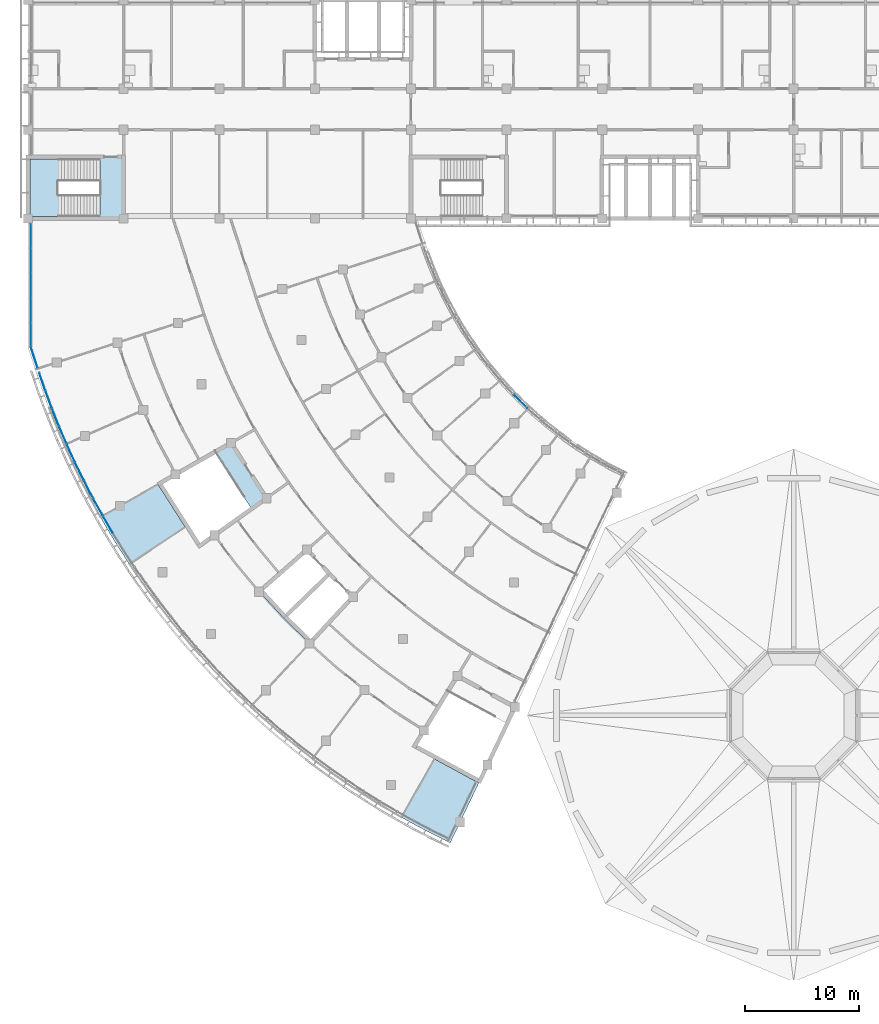
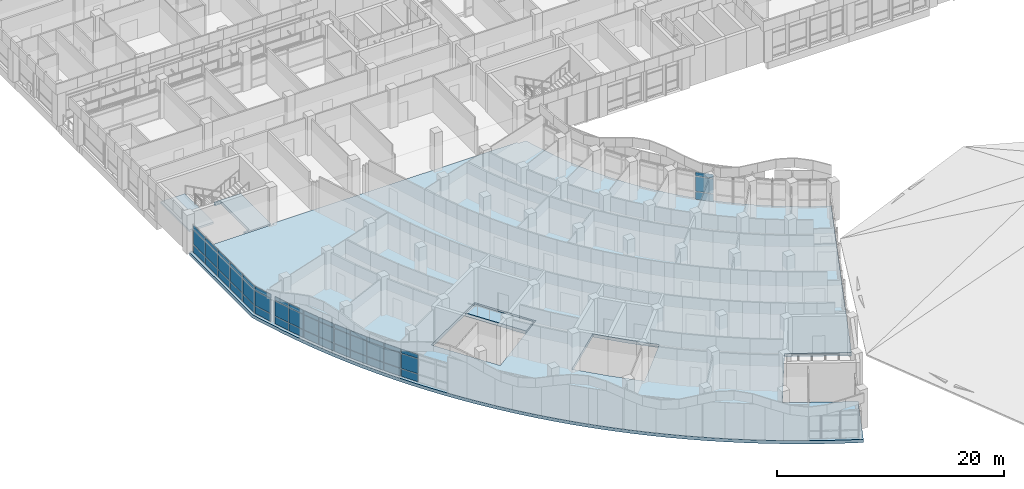
# One storey, part 53 of 137: 48 plates, 4 slabs, 7 elements without a shape of their own.
"""IFC4 building model written with IfcOpenShell, lengths in metres."""

from ifc_helpers import new_model, si_unit, direction, frame, origin, origin_2d, place, context, subcontext, project, spatial, polyline, rectangle, outline, extrude, material, layer, layer_set, type_object, element, aggregate, save


model = new_model("IFC4")

# Units and contexts
model_context = context("Model", 3, precision=1e-05, world=origin(), true_north=direction((0.0, 1.0)))
body_context = subcontext(model_context, "Body", "Model", "MODEL_VIEW")
ifc_project = project(units=[si_unit("LENGTHUNIT", "METRE"), si_unit("AREAUNIT", "SQUARE_METRE"), si_unit("VOLUMEUNIT", "CUBIC_METRE"), si_unit("PLANEANGLEUNIT", "RADIAN"), si_unit("MASSUNIT", "GRAM", prefix="KILO")], contexts=[model_context])

# Site, building, storey
site_placement = place(None, origin())
site = spatial("IfcSite", under=ifc_project, at=site_placement, CompositionType="ELEMENT")
building_placement = place(site_placement, origin())
building = spatial("IfcBuilding", under=site, at=building_placement, Name="Bougainvillea Quay General Hospital", CompositionType="ELEMENT")
storey_placement = place(building_placement, frame((0.0, 0.0, 16.800048828125)))
storey = spatial("IfcBuildingStorey", under=building, at=storey_placement, Name="L03", CompositionType="ELEMENT", Elevation=16.800048828125)

# Curtain wall, plates
ifc_material_1 = material(Name="Aluminium curtain wall system, powder-coated glazed", Category="aluminium")
curtain_wall_type_1 = type_object("IfcCurtainWallType", Name="Unitised curtain wall CW-2177", PredefinedType="NOTDEFINED", material=ifc_material_1)
curtain_wall_1_placement = place(storey_placement, origin())
curtain_wall_1 = element("IfcCurtainWall", 1, at=curtain_wall_1_placement, inside=storey, type_object=curtain_wall_type_1, Name="CW-AE 00", PredefinedType="NOTDEFINED")
ifc_material_2 = material(Name="Insulated aluminium spandrel panel, white", Category="aluminium")
ifc_layer_1 = layer(ifc_material_2, 0.028076171875)
ifc_layer_set_1 = layer_set([ifc_layer_1], Name="Insulated aluminium spandrel panel, white")
plate_type_1 = type_object("IfcPlateType", Name="Insulated spandrel panel white 28", PredefinedType="CURTAIN_PANEL", material=ifc_layer_set_1)
plate_1_placement = place(storey_placement, frame((42.25, 116.07666015625, 0.059814453125), z_axis=(0.0, 0.0, 1.0), x_axis=(0.0, -1.0, 0.0)))
plate_1 = element("IfcPlate", 2, at=plate_1_placement, type_object=plate_type_1, Name="CW-AE spandrel panel 1.1", PredefinedType="CURTAIN_PANEL", context=body_context, shape_type="SweptSolid", body=[
    extrude(rectangle(XDim=2.0869140625, YDim=0.028076171875, at=origin_2d()), origin(), (0.0, 0.0, 1.0), 0.81005859375),
])
plate_2_placement = place(storey_placement, frame((42.25, 116.07666015625, 2.580078125), z_axis=(0.0, 0.0, 1.0), x_axis=(0.0, -1.0, 0.0)))
plate_2 = element("IfcPlate", 3, at=plate_2_placement, type_object=plate_type_1, Name="CW-AE spandrel panel 1.3", PredefinedType="CURTAIN_PANEL", context=body_context, shape_type="SweptSolid", body=[
    extrude(rectangle(XDim=2.0869140625, YDim=0.028076171875, at=origin_2d()), origin(), (0.0, 0.0, 1.0), 0.409912109375),
])
plate_3_placement = place(storey_placement, frame((42.25, 113.914794921875, 0.059814453125), z_axis=(0.0, 0.0, 1.0), x_axis=(0.0, -1.0, 0.0)))
plate_3 = element("IfcPlate", 4, at=plate_3_placement, type_object=plate_type_1, Name="CW-AE spandrel panel 2.1", PredefinedType="CURTAIN_PANEL", context=body_context, shape_type="SweptSolid", body=[
    extrude(rectangle(XDim=2.11669921875, YDim=0.028076171875, at=origin_2d()), origin(), (0.0, 0.0, 1.0), 0.81005859375),
])
plate_4_placement = place(storey_placement, frame((42.25, 113.914794921875, 2.580078125), z_axis=(0.0, 0.0, 1.0), x_axis=(0.0, -1.0, 0.0)))
plate_4 = element("IfcPlate", 5, at=plate_4_placement, type_object=plate_type_1, Name="CW-AE spandrel panel 2.3", PredefinedType="CURTAIN_PANEL", context=body_context, shape_type="SweptSolid", body=[
    extrude(rectangle(XDim=2.11669921875, YDim=0.028076171875, at=origin_2d()), origin(), (0.0, 0.0, 1.0), 0.409912109375),
])
plate_5_placement = place(storey_placement, frame((42.25, 111.738037109375, 0.059814453125), z_axis=(0.0, 0.0, 1.0), x_axis=(0.0, -1.0, 0.0)))
plate_5 = element("IfcPlate", 6, at=plate_5_placement, type_object=plate_type_1, Name="CW-AE spandrel panel 3.1", PredefinedType="CURTAIN_PANEL", context=body_context, shape_type="SweptSolid", body=[
    extrude(rectangle(XDim=2.11669921875, YDim=0.028076171875, at=origin_2d()), origin(), (0.0, 0.0, 1.0), 0.81005859375),
])
plate_6_placement = place(storey_placement, frame((42.25, 111.738037109375, 2.580078125), z_axis=(0.0, 0.0, 1.0), x_axis=(0.0, -1.0, 0.0)))
plate_6 = element("IfcPlate", 7, at=plate_6_placement, type_object=plate_type_1, Name="CW-AE spandrel panel 3.3", PredefinedType="CURTAIN_PANEL", context=body_context, shape_type="SweptSolid", body=[
    extrude(rectangle(XDim=2.11669921875, YDim=0.028076171875, at=origin_2d()), origin(), (0.0, 0.0, 1.0), 0.409912109375),
])
plate_7_placement = place(storey_placement, frame((42.25, 109.561279296875, 0.059814453125), z_axis=(0.0, 0.0, 1.0), x_axis=(0.0, -1.0, 0.0)))
plate_7 = element("IfcPlate", 8, at=plate_7_placement, type_object=plate_type_1, Name="CW-AE spandrel panel 4.1", PredefinedType="CURTAIN_PANEL", context=body_context, shape_type="SweptSolid", body=[
    extrude(rectangle(XDim=2.11669921875, YDim=0.028076171875, at=origin_2d()), origin(), (0.0, 0.0, 1.0), 0.81005859375),
])
plate_8_placement = place(storey_placement, frame((42.25, 109.561279296875, 2.580078125), z_axis=(0.0, 0.0, 1.0), x_axis=(0.0, -1.0, 0.0)))
plate_8 = element("IfcPlate", 9, at=plate_8_placement, type_object=plate_type_1, Name="CW-AE spandrel panel 4.3", PredefinedType="CURTAIN_PANEL", context=body_context, shape_type="SweptSolid", body=[
    extrude(rectangle(XDim=2.11669921875, YDim=0.028076171875, at=origin_2d()), origin(), (0.0, 0.0, 1.0), 0.409912109375),
])
plate_9_placement = place(storey_placement, frame((42.25, 107.3994140625, 0.059814453125), z_axis=(0.0, 0.0, 1.0), x_axis=(0.0, -1.0, 0.0)))
plate_9 = element("IfcPlate", 10, at=plate_9_placement, type_object=plate_type_1, Name="CW-AE spandrel panel 5.1", PredefinedType="CURTAIN_PANEL", context=body_context, shape_type="SweptSolid", body=[
    extrude(rectangle(XDim=2.0869140625, YDim=0.028076171875, at=origin_2d()), origin(), (0.0, 0.0, 1.0), 0.81005859375),
])
plate_10_placement = place(storey_placement, frame((42.25, 107.3994140625, 2.580078125), z_axis=(0.0, 0.0, 1.0), x_axis=(0.0, -1.0, 0.0)))
plate_10 = element("IfcPlate", 11, at=plate_10_placement, type_object=plate_type_1, Name="CW-AE spandrel panel 5.3", PredefinedType="CURTAIN_PANEL", context=body_context, shape_type="SweptSolid", body=[
    extrude(rectangle(XDim=2.0869140625, YDim=0.028076171875, at=origin_2d()), origin(), (0.0, 0.0, 1.0), 0.409912109375),
])

curtain_wall_type_2 = type_object("IfcCurtainWallType", Name="Unitised curtain wall CW-2027", PredefinedType="NOTDEFINED", material=ifc_material_1)
curtain_wall_2_placement = place(storey_placement, origin())
curtain_wall_2 = element("IfcCurtainWall", 12, at=curtain_wall_2_placement, inside=storey, type_object=curtain_wall_type_2, Name="CW-AE 00", PredefinedType="NOTDEFINED")
plate_11_placement = place(storey_placement, frame((42.55078125, 105.40966796875, 0.059814453125), z_axis=(0.0, 0.0, 1.0), x_axis=(0.30896330961, -0.951073957858, 0.0)))
plate_11 = element("IfcPlate", 13, at=plate_11_placement, type_object=plate_type_1, Name="CW-AE spandrel panel 1.1", PredefinedType="CURTAIN_PANEL", context=body_context, shape_type="SweptSolid", body=[
    extrude(rectangle(XDim=1.90625, YDim=0.028076171875, at=origin_2d()), origin(), (0.0, 0.0, 1.0), 0.81005859375),
])
plate_12_placement = place(storey_placement, frame((42.55078125, 105.40966796875, 2.580078125), z_axis=(0.0, 0.0, 1.0), x_axis=(0.30896330961, -0.951073957858, 0.0)))
plate_12 = element("IfcPlate", 14, at=plate_12_placement, type_object=plate_type_1, Name="CW-AE spandrel panel 1.3", PredefinedType="CURTAIN_PANEL", context=body_context, shape_type="SweptSolid", body=[
    extrude(rectangle(XDim=1.90625, YDim=0.028076171875, at=origin_2d()), origin(), (0.0, 0.0, 1.0), 0.409912109375),
])

curtain_wall_type_3 = type_object("IfcCurtainWallType", Name="Unitised curtain wall CW-2100", PredefinedType="NOTDEFINED", material=ifc_material_1)
curtain_wall_3_placement = place(storey_placement, origin())
curtain_wall_3 = element("IfcCurtainWall", 15, at=curtain_wall_3_placement, inside=storey, type_object=curtain_wall_type_3, Name="CW-W06 a01b5", PredefinedType="NOTDEFINED")
plate_13_placement = place(storey_placement, frame((49.024169921875, 90.741943359375, 0.059814453125), z_axis=(0.0, 0.0, 1.0), x_axis=(-0.505348661129, 0.862915251166, 0.0)))
plate_13 = element("IfcPlate", 16, at=plate_13_placement, type_object=plate_type_1, Name="CW-W06 spandrel panel 4.1", PredefinedType="CURTAIN_PANEL", context=body_context, shape_type="SweptSolid", body=[
    extrude(rectangle(XDim=1.6787109375, YDim=0.028076171875, at=origin_2d()), origin(), (0.0, 0.0, 1.0), 0.81005859375),
])
plate_14_placement = place(storey_placement, frame((49.024169921875, 90.741943359375, 2.580078125), z_axis=(0.0, 0.0, 1.0), x_axis=(-0.505348661129, 0.862915251166, 0.0)))
plate_14 = element("IfcPlate", 17, at=plate_14_placement, type_object=plate_type_1, Name="CW-W06 spandrel panel 4.3", PredefinedType="CURTAIN_PANEL", context=body_context, shape_type="SweptSolid", body=[
    extrude(rectangle(XDim=1.6787109375, YDim=0.028076171875, at=origin_2d()), origin(), (0.0, 0.0, 1.0), 0.409912109375),
])

curtain_wall_4_placement = place(storey_placement, origin())
curtain_wall_4 = element("IfcCurtainWall", 18, at=curtain_wall_4_placement, inside=storey, type_object=curtain_wall_type_3, Name="CW-W07 a01b6", PredefinedType="NOTDEFINED")
plate_15_placement = place(storey_placement, frame((48.135009765625, 92.305419921875, 0.059814453125), z_axis=(0.0, 0.0, 1.0), x_axis=(-0.483305302697, 0.875451874397, 0.0)))
plate_15 = element("IfcPlate", 19, at=plate_15_placement, type_object=plate_type_1, Name="CW-W07 spandrel panel 1.1", PredefinedType="CURTAIN_PANEL", context=body_context, shape_type="SweptSolid", body=[
    extrude(rectangle(XDim=1.6787109375, YDim=0.028076171875, at=origin_2d()), origin(), (0.0, 0.0, 1.0), 0.81005859375),
])
plate_16_placement = place(storey_placement, frame((48.135009765625, 92.305419921875, 2.580078125), z_axis=(0.0, 0.0, 1.0), x_axis=(-0.483305302697, 0.875451874397, 0.0)))
plate_16 = element("IfcPlate", 20, at=plate_16_placement, type_object=plate_type_1, Name="CW-W07 spandrel panel 1.3", PredefinedType="CURTAIN_PANEL", context=body_context, shape_type="SweptSolid", body=[
    extrude(rectangle(XDim=1.6787109375, YDim=0.028076171875, at=origin_2d()), origin(), (0.0, 0.0, 1.0), 0.409912109375),
])
plate_17_placement = place(storey_placement, frame((47.30712890625, 93.851318359375, 0.059814453125), z_axis=(0.0, 0.0, 1.0), x_axis=(-0.460951141948, 0.887425515036, 0.0)))
plate_17 = element("IfcPlate", 21, at=plate_17_placement, type_object=plate_type_1, Name="CW-W07 spandrel panel 2.1", PredefinedType="CURTAIN_PANEL", context=body_context, shape_type="SweptSolid", body=[
    extrude(rectangle(XDim=1.708740234375, YDim=0.028076171875, at=origin_2d()), origin(), (0.0, 0.0, 1.0), 0.81005859375),
])
plate_18_placement = place(storey_placement, frame((47.30712890625, 93.851318359375, 2.580078125), z_axis=(0.0, 0.0, 1.0), x_axis=(-0.460951141948, 0.887425515036, 0.0)))
plate_18 = element("IfcPlate", 22, at=plate_18_placement, type_object=plate_type_1, Name="CW-W07 spandrel panel 2.3", PredefinedType="CURTAIN_PANEL", context=body_context, shape_type="SweptSolid", body=[
    extrude(rectangle(XDim=1.708740234375, YDim=0.028076171875, at=origin_2d()), origin(), (0.0, 0.0, 1.0), 0.409912109375),
])
plate_19_placement = place(storey_placement, frame((46.51171875, 95.430908203125, 0.059814453125), z_axis=(0.0, 0.0, 1.0), x_axis=(-0.438300554318, 0.898828473116, 0.0)))
plate_19 = element("IfcPlate", 23, at=plate_19_placement, type_object=plate_type_1, Name="CW-W07 spandrel panel 3.1", PredefinedType="CURTAIN_PANEL", context=body_context, shape_type="SweptSolid", body=[
    extrude(rectangle(XDim=1.708740234375, YDim=0.028076171875, at=origin_2d()), origin(), (0.0, 0.0, 1.0), 0.81005859375),
])
plate_20_placement = place(storey_placement, frame((46.51171875, 95.430908203125, 2.580078125), z_axis=(0.0, 0.0, 1.0), x_axis=(-0.438300554318, 0.898828473116, 0.0)))
plate_20 = element("IfcPlate", 24, at=plate_20_placement, type_object=plate_type_1, Name="CW-W07 spandrel panel 3.3", PredefinedType="CURTAIN_PANEL", context=body_context, shape_type="SweptSolid", body=[
    extrude(rectangle(XDim=1.708740234375, YDim=0.028076171875, at=origin_2d()), origin(), (0.0, 0.0, 1.0), 0.409912109375),
])
plate_21_placement = place(storey_placement, frame((45.762939453125, 97.016845703125, 0.059814453125), z_axis=(0.0, 0.0, 1.0), x_axis=(-0.415368105869, 0.909653415663, 0.0)))
plate_21 = element("IfcPlate", 25, at=plate_21_placement, type_object=plate_type_1, Name="CW-W07 spandrel panel 4.1", PredefinedType="CURTAIN_PANEL", context=body_context, shape_type="SweptSolid", body=[
    extrude(rectangle(XDim=1.6787109375, YDim=0.028076171875, at=origin_2d()), origin(), (0.0, 0.0, 1.0), 0.81005859375),
])
plate_22_placement = place(storey_placement, frame((45.762939453125, 97.016845703125, 2.580078125), z_axis=(0.0, 0.0, 1.0), x_axis=(-0.415368105869, 0.909653415663, 0.0)))
plate_22 = element("IfcPlate", 26, at=plate_22_placement, type_object=plate_type_1, Name="CW-W07 spandrel panel 4.3", PredefinedType="CURTAIN_PANEL", context=body_context, shape_type="SweptSolid", body=[
    extrude(rectangle(XDim=1.6787109375, YDim=0.028076171875, at=origin_2d()), origin(), (0.0, 0.0, 1.0), 0.409912109375),
])

curtain_wall_5_placement = place(storey_placement, origin())
curtain_wall_5 = element("IfcCurtainWall", 27, at=curtain_wall_5_placement, inside=storey, type_object=curtain_wall_type_3, Name="CW-W08 a01b7", PredefinedType="NOTDEFINED")
plate_23_placement = place(storey_placement, frame((45.052734375, 98.623779296875, 0.059814453125), z_axis=(0.0, 0.0, 1.0), x_axis=(-0.392718634519, 0.919658672607, 0.0)))
plate_23 = element("IfcPlate", 28, at=plate_23_placement, type_object=plate_type_1, Name="CW-W08 spandrel panel 1.1", PredefinedType="CURTAIN_PANEL", context=body_context, shape_type="SweptSolid", body=[
    extrude(rectangle(XDim=1.595458984375, YDim=0.028076171875, at=origin_2d()), origin(), (0.0, 0.0, 1.0), 0.81005859375),
])
plate_24_placement = place(storey_placement, frame((45.052734375, 98.623779296875, 2.580078125), z_axis=(0.0, 0.0, 1.0), x_axis=(-0.392718634519, 0.919658672607, 0.0)))
plate_24 = element("IfcPlate", 29, at=plate_24_placement, type_object=plate_type_1, Name="CW-W08 spandrel panel 1.3", PredefinedType="CURTAIN_PANEL", context=body_context, shape_type="SweptSolid", body=[
    extrude(rectangle(XDim=1.595458984375, YDim=0.028076171875, at=origin_2d()), origin(), (0.0, 0.0, 1.0), 0.409912109375),
])
plate_25_placement = place(storey_placement, frame((44.41552734375, 100.167724609375, 0.059814453125), z_axis=(0.0, 0.0, 1.0), x_axis=(-0.370383986757, 0.928878733934, 0.0)))
plate_25 = element("IfcPlate", 30, at=plate_25_placement, type_object=plate_type_1, Name="CW-W08 spandrel panel 2.1", PredefinedType="CURTAIN_PANEL", context=body_context, shape_type="SweptSolid", body=[
    extrude(rectangle(XDim=1.625244140625, YDim=0.028076171875, at=origin_2d()), origin(), (0.0, 0.0, 1.0), 0.81005859375),
])
plate_26_placement = place(storey_placement, frame((44.41552734375, 100.167724609375, 2.580078125), z_axis=(0.0, 0.0, 1.0), x_axis=(-0.370383986757, 0.928878733934, 0.0)))
plate_26 = element("IfcPlate", 31, at=plate_26_placement, type_object=plate_type_1, Name="CW-W08 spandrel panel 2.3", PredefinedType="CURTAIN_PANEL", context=body_context, shape_type="SweptSolid", body=[
    extrude(rectangle(XDim=1.625244140625, YDim=0.028076171875, at=origin_2d()), origin(), (0.0, 0.0, 1.0), 0.409912109375),
])
plate_27_placement = place(storey_placement, frame((43.810302734375, 101.740478515625, 0.059814453125), z_axis=(0.0, 0.0, 1.0), x_axis=(-0.347833091778, 0.937556473107, 0.0)))
plate_27 = element("IfcPlate", 32, at=plate_27_placement, type_object=plate_type_1, Name="CW-W08 spandrel panel 3.1", PredefinedType="CURTAIN_PANEL", context=body_context, shape_type="SweptSolid", body=[
    extrude(rectangle(XDim=1.625244140625, YDim=0.028076171875, at=origin_2d()), origin(), (0.0, 0.0, 1.0), 0.81005859375),
])
plate_28_placement = place(storey_placement, frame((43.810302734375, 101.740478515625, 2.580078125), z_axis=(0.0, 0.0, 1.0), x_axis=(-0.347833091778, 0.937556473107, 0.0)))
plate_28 = element("IfcPlate", 33, at=plate_28_placement, type_object=plate_type_1, Name="CW-W08 spandrel panel 3.3", PredefinedType="CURTAIN_PANEL", context=body_context, shape_type="SweptSolid", body=[
    extrude(rectangle(XDim=1.625244140625, YDim=0.028076171875, at=origin_2d()), origin(), (0.0, 0.0, 1.0), 0.409912109375),
])
plate_29_placement = place(storey_placement, frame((43.248046875, 103.313232421875, 0.059814453125), z_axis=(0.0, 0.0, 1.0), x_axis=(-0.325079115849, 0.945686823657, 0.0)))
plate_29 = element("IfcPlate", 34, at=plate_29_placement, type_object=plate_type_1, Name="CW-W08 spandrel panel 4.1", PredefinedType="CURTAIN_PANEL", context=body_context, shape_type="SweptSolid", body=[
    extrude(rectangle(XDim=1.595458984375, YDim=0.028076171875, at=origin_2d()), origin(), (0.0, 0.0, 1.0), 0.81005859375),
])
plate_30_placement = place(storey_placement, frame((43.248046875, 103.313232421875, 2.580078125), z_axis=(0.0, 0.0, 1.0), x_axis=(-0.325079115849, 0.945686823657, 0.0)))
plate_30 = element("IfcPlate", 35, at=plate_30_placement, type_object=plate_type_1, Name="CW-W08 spandrel panel 4.3", PredefinedType="CURTAIN_PANEL", context=body_context, shape_type="SweptSolid", body=[
    extrude(rectangle(XDim=1.595458984375, YDim=0.028076171875, at=origin_2d()), origin(), (0.0, 0.0, 1.0), 0.409912109375),
])

curtain_wall_6_placement = place(storey_placement, origin())
curtain_wall_6 = element("IfcCurtainWall", 36, at=curtain_wall_6_placement, inside=storey, type_object=curtain_wall_type_3, Name="CW-W04 a03b3", PredefinedType="NOTDEFINED")
plate_31_placement = place(storey_placement, frame((85.23828125, 101.543212890625, 0.059814453125), z_axis=(0.0, 0.0, 1.0), x_axis=(-0.714606992183, 0.699526158712, 0.0)))
plate_31 = element("IfcPlate", 37, at=plate_31_placement, type_object=plate_type_1, Name="CW-W04 spandrel panel 1.1", PredefinedType="CURTAIN_PANEL", context=body_context, shape_type="SweptSolid", body=[
    extrude(rectangle(XDim=1.64697265625, YDim=0.028076171875, at=origin_2d()), origin(), (0.0, 0.0, 1.0), 0.81005859375),
])
plate_32_placement = place(storey_placement, frame((85.23828125, 101.543212890625, 2.580078125), z_axis=(0.0, 0.0, 1.0), x_axis=(-0.714606992183, 0.699526158712, 0.0)))
plate_32 = element("IfcPlate", 38, at=plate_32_placement, type_object=plate_type_1, Name="CW-W04 spandrel panel 1.3", PredefinedType="CURTAIN_PANEL", context=body_context, shape_type="SweptSolid", body=[
    extrude(rectangle(XDim=1.64697265625, YDim=0.028076171875, at=origin_2d()), origin(), (0.0, 0.0, 1.0), 0.409912109375),
])

# Plate
ifc_material_3 = material(Name="Low-e laminated glass, solar control", Category="glass")
ifc_layer_2 = layer(ifc_material_3, 0.028076171875)
ifc_layer_set_2 = layer_set([ifc_layer_2], Name="Low-e laminated glass, solar control")
plate_type_2 = type_object("IfcPlateType", Name="Low-e laminated vision glass 28", PredefinedType="CURTAIN_PANEL", material=ifc_layer_set_2)
plate_33_placement = place(storey_placement, frame((42.25, 116.07666015625, 0.9296875), z_axis=(0.0, 0.0, 1.0), x_axis=(0.0, -1.0, 0.0)))
plate_33 = element("IfcPlate", 39, at=plate_33_placement, type_object=plate_type_2, Name="CW-AE vision glass panel 1.2", PredefinedType="CURTAIN_PANEL", context=body_context, shape_type="SweptSolid", body=[
    extrude(rectangle(XDim=2.0869140625, YDim=0.028076171875, at=origin_2d()), origin(), (0.0, 0.0, 1.0), 1.590087890625),
])

plate_34_placement = place(storey_placement, frame((42.25, 113.914794921875, 0.9296875), z_axis=(0.0, 0.0, 1.0), x_axis=(0.0, -1.0, 0.0)))
plate_34 = element("IfcPlate", 40, at=plate_34_placement, type_object=plate_type_2, Name="CW-AE vision glass panel 2.2", PredefinedType="CURTAIN_PANEL", context=body_context, shape_type="SweptSolid", body=[
    extrude(rectangle(XDim=2.11669921875, YDim=0.028076171875, at=origin_2d()), origin(), (0.0, 0.0, 1.0), 1.590087890625),
])

plate_35_placement = place(storey_placement, frame((42.25, 111.738037109375, 0.9296875), z_axis=(0.0, 0.0, 1.0), x_axis=(0.0, -1.0, 0.0)))
plate_35 = element("IfcPlate", 41, at=plate_35_placement, type_object=plate_type_2, Name="CW-AE vision glass panel 3.2", PredefinedType="CURTAIN_PANEL", context=body_context, shape_type="SweptSolid", body=[
    extrude(rectangle(XDim=2.11669921875, YDim=0.028076171875, at=origin_2d()), origin(), (0.0, 0.0, 1.0), 1.590087890625),
])

plate_36_placement = place(storey_placement, frame((42.25, 109.561279296875, 0.9296875), z_axis=(0.0, 0.0, 1.0), x_axis=(0.0, -1.0, 0.0)))
plate_36 = element("IfcPlate", 42, at=plate_36_placement, type_object=plate_type_2, Name="CW-AE vision glass panel 4.2", PredefinedType="CURTAIN_PANEL", context=body_context, shape_type="SweptSolid", body=[
    extrude(rectangle(XDim=2.11669921875, YDim=0.028076171875, at=origin_2d()), origin(), (0.0, 0.0, 1.0), 1.590087890625),
])

plate_37_placement = place(storey_placement, frame((42.25, 107.3994140625, 0.9296875), z_axis=(0.0, 0.0, 1.0), x_axis=(0.0, -1.0, 0.0)))
plate_37 = element("IfcPlate", 43, at=plate_37_placement, type_object=plate_type_2, Name="CW-AE vision glass panel 5.2", PredefinedType="CURTAIN_PANEL", context=body_context, shape_type="SweptSolid", body=[
    extrude(rectangle(XDim=2.0869140625, YDim=0.028076171875, at=origin_2d()), origin(), (0.0, 0.0, 1.0), 1.590087890625),
])

aggregate(curtain_wall_1, [plate_1, plate_33, plate_2, plate_3, plate_34, plate_4, plate_5, plate_35, plate_6, plate_7, plate_36, plate_8, plate_9, plate_37, plate_10])

plate_38_placement = place(storey_placement, frame((42.55078125, 105.40966796875, 0.9296875), z_axis=(0.0, 0.0, 1.0), x_axis=(0.30896330961, -0.951073957858, 0.0)))
plate_38 = element("IfcPlate", 44, at=plate_38_placement, type_object=plate_type_2, Name="CW-AE vision glass panel 1.2", PredefinedType="CURTAIN_PANEL", context=body_context, shape_type="SweptSolid", body=[
    extrude(rectangle(XDim=1.90625, YDim=0.028076171875, at=origin_2d()), origin(), (0.0, 0.0, 1.0), 1.590087890625),
])

aggregate(curtain_wall_2, [plate_11, plate_38, plate_12])

plate_39_placement = place(storey_placement, frame((49.024169921875, 90.741943359375, 0.9296875), z_axis=(0.0, 0.0, 1.0), x_axis=(-0.505348661129, 0.862915251166, 0.0)))
plate_39 = element("IfcPlate", 45, at=plate_39_placement, type_object=plate_type_2, Name="CW-W06 vision glass panel 4.2", PredefinedType="CURTAIN_PANEL", context=body_context, shape_type="SweptSolid", body=[
    extrude(rectangle(XDim=1.6787109375, YDim=0.028076171875, at=origin_2d()), origin(), (0.0, 0.0, 1.0), 1.590087890625),
])

aggregate(curtain_wall_3, [plate_13, plate_39, plate_14])

plate_40_placement = place(storey_placement, frame((48.135009765625, 92.305419921875, 0.9296875), z_axis=(0.0, 0.0, 1.0), x_axis=(-0.483305302697, 0.875451874397, 0.0)))
plate_40 = element("IfcPlate", 46, at=plate_40_placement, type_object=plate_type_2, Name="CW-W07 vision glass panel 1.2", PredefinedType="CURTAIN_PANEL", context=body_context, shape_type="SweptSolid", body=[
    extrude(rectangle(XDim=1.6787109375, YDim=0.028076171875, at=origin_2d()), origin(), (0.0, 0.0, 1.0), 1.590087890625),
])

plate_41_placement = place(storey_placement, frame((47.30712890625, 93.851318359375, 0.9296875), z_axis=(0.0, 0.0, 1.0), x_axis=(-0.460951141948, 0.887425515036, 0.0)))
plate_41 = element("IfcPlate", 47, at=plate_41_placement, type_object=plate_type_2, Name="CW-W07 vision glass panel 2.2", PredefinedType="CURTAIN_PANEL", context=body_context, shape_type="SweptSolid", body=[
    extrude(rectangle(XDim=1.708740234375, YDim=0.028076171875, at=origin_2d()), origin(), (0.0, 0.0, 1.0), 1.590087890625),
])

plate_42_placement = place(storey_placement, frame((46.51171875, 95.430908203125, 0.9296875), z_axis=(0.0, 0.0, 1.0), x_axis=(-0.438300554318, 0.898828473116, 0.0)))
plate_42 = element("IfcPlate", 48, at=plate_42_placement, type_object=plate_type_2, Name="CW-W07 vision glass panel 3.2", PredefinedType="CURTAIN_PANEL", context=body_context, shape_type="SweptSolid", body=[
    extrude(rectangle(XDim=1.708740234375, YDim=0.028076171875, at=origin_2d()), origin(), (0.0, 0.0, 1.0), 1.590087890625),
])

plate_43_placement = place(storey_placement, frame((45.762939453125, 97.016845703125, 0.9296875), z_axis=(0.0, 0.0, 1.0), x_axis=(-0.415368105869, 0.909653415663, 0.0)))
plate_43 = element("IfcPlate", 49, at=plate_43_placement, type_object=plate_type_2, Name="CW-W07 vision glass panel 4.2", PredefinedType="CURTAIN_PANEL", context=body_context, shape_type="SweptSolid", body=[
    extrude(rectangle(XDim=1.6787109375, YDim=0.028076171875, at=origin_2d()), origin(), (0.0, 0.0, 1.0), 1.590087890625),
])

aggregate(curtain_wall_4, [plate_15, plate_40, plate_16, plate_17, plate_41, plate_18, plate_19, plate_42, plate_20, plate_21, plate_43, plate_22])

plate_44_placement = place(storey_placement, frame((45.052734375, 98.623779296875, 0.9296875), z_axis=(0.0, 0.0, 1.0), x_axis=(-0.392718634519, 0.919658672607, 0.0)))
plate_44 = element("IfcPlate", 50, at=plate_44_placement, type_object=plate_type_2, Name="CW-W08 vision glass panel 1.2", PredefinedType="CURTAIN_PANEL", context=body_context, shape_type="SweptSolid", body=[
    extrude(rectangle(XDim=1.595458984375, YDim=0.028076171875, at=origin_2d()), origin(), (0.0, 0.0, 1.0), 1.590087890625),
])

plate_45_placement = place(storey_placement, frame((44.41552734375, 100.167724609375, 0.9296875), z_axis=(0.0, 0.0, 1.0), x_axis=(-0.370383986757, 0.928878733934, 0.0)))
plate_45 = element("IfcPlate", 51, at=plate_45_placement, type_object=plate_type_2, Name="CW-W08 vision glass panel 2.2", PredefinedType="CURTAIN_PANEL", context=body_context, shape_type="SweptSolid", body=[
    extrude(rectangle(XDim=1.625244140625, YDim=0.028076171875, at=origin_2d()), origin(), (0.0, 0.0, 1.0), 1.590087890625),
])

plate_46_placement = place(storey_placement, frame((43.810302734375, 101.740478515625, 0.9296875), z_axis=(0.0, 0.0, 1.0), x_axis=(-0.347833091778, 0.937556473107, 0.0)))
plate_46 = element("IfcPlate", 52, at=plate_46_placement, type_object=plate_type_2, Name="CW-W08 vision glass panel 3.2", PredefinedType="CURTAIN_PANEL", context=body_context, shape_type="SweptSolid", body=[
    extrude(rectangle(XDim=1.625244140625, YDim=0.028076171875, at=origin_2d()), origin(), (0.0, 0.0, 1.0), 1.590087890625),
])

plate_47_placement = place(storey_placement, frame((43.248046875, 103.313232421875, 0.9296875), z_axis=(0.0, 0.0, 1.0), x_axis=(-0.325079115849, 0.945686823657, 0.0)))
plate_47 = element("IfcPlate", 53, at=plate_47_placement, type_object=plate_type_2, Name="CW-W08 vision glass panel 4.2", PredefinedType="CURTAIN_PANEL", context=body_context, shape_type="SweptSolid", body=[
    extrude(rectangle(XDim=1.595458984375, YDim=0.028076171875, at=origin_2d()), origin(), (0.0, 0.0, 1.0), 1.590087890625),
])

aggregate(curtain_wall_5, [plate_23, plate_44, plate_24, plate_25, plate_45, plate_26, plate_27, plate_46, plate_28, plate_29, plate_47, plate_30])

plate_48_placement = place(storey_placement, frame((85.23828125, 101.543212890625, 0.9296875), z_axis=(0.0, 0.0, 1.0), x_axis=(-0.714606992183, 0.699526158712, 0.0)))
plate_48 = element("IfcPlate", 54, at=plate_48_placement, type_object=plate_type_2, Name="CW-W04 vision glass panel 1.2", PredefinedType="CURTAIN_PANEL", context=body_context, shape_type="SweptSolid", body=[
    extrude(rectangle(XDim=1.64697265625, YDim=0.028076171875, at=origin_2d()), origin(), (0.0, 0.0, 1.0), 1.590087890625),
])

aggregate(curtain_wall_6, [plate_31, plate_48, plate_32])

# Slabs
ifc_material_4 = material(Name="Concrete C35", Category="concrete")
ifc_layer_3 = layer(ifc_material_4, 0.300048828125)
ifc_layer_set_3 = layer_set([ifc_layer_3], Name="Concrete C35")
slab_type_1 = type_object("IfcSlabType", Name="RC FLAT SLAB 300 C35", PredefinedType="FLOOR", material=ifc_layer_set_3)
slab_1_placement = place(storey_placement, frame((0.0, 0.0, -0.300048828125)))
element("IfcSlab", 55, at=slab_1_placement, inside=storey, type_object=slab_type_1, Name="Stair landing floor ST-B1 L03", PredefinedType="FLOOR", context=body_context, shape_type="SweptSolid", body=[
    extrude(outline(polyline([(47.702880859375, 122.8837890625), (47.71142578125, 122.942138671875), (47.725830078125, 122.99951171875), (50.39990234375, 123.0), (50.39990234375, 117.60009765625), (47.725830078125, 117.600341796875), (47.71142578125, 117.657958984375), (47.702880859375, 117.71630859375), (47.699951171875, 117.77392578125), (48.300537109375, 117.7744140625), (48.300537109375, 122.82568359375), (47.699951171875, 122.825927734375), (47.702880859375, 122.8837890625)])), origin(), (0.0, 0.0, 1.0), 0.300048828125),
])
ifc_layer_4 = layer(ifc_material_4, 0.35009765625)
ifc_layer_set_4 = layer_set([ifc_layer_4], Name="Concrete C35")
slab_type_2 = type_object("IfcSlabType", Name="RC FLAT SLAB 350 C35", PredefinedType="FLOOR", material=ifc_layer_set_4)
slab_2_placement = place(storey_placement, frame((0.0, 0.0, -0.35009765625)))
element("IfcSlab", 56, at=slab_2_placement, inside=storey, type_object=slab_type_2, Name="Slab S4 L03", PredefinedType="FLOOR", context=body_context, shape_type="SweptSolid", body=[
    extrude(outline(polyline([(59.507080078125, 76.698974609375), (60.73388671875, 75.491943359375), (61.990966796875, 74.31591796875), (63.27587890625, 73.169921875), (64.589111328125, 72.056884765625), (65.928955078125, 70.97607421875), (67.294921875, 69.928955078125), (68.68701171875, 68.9150390625), (70.10302734375, 67.93603515625), (71.5419921875, 66.991943359375), (73.0048828125, 66.083984375), (74.489013671875, 65.2119140625), (75.993896484375, 64.376953125), (77.52001953125, 63.5791015625), (79.06396484375, 62.819091796875), (81.572021484375, 68.076904296875), (81.413818359375, 68.15234375), (81.489990234375, 68.312255859375), (81.409912109375, 68.164306640625), (76.009765625, 71.084716796875), (76.089599609375, 71.23291015625), (75.99755859375, 71.08154296875), (75.698486328125, 71.263427734375), (79.62255859375, 77.71337890625), (79.916015625, 77.539794921875), (84.67431640625, 74.96630859375), (84.822265625, 74.890869140625), (94.56298828125, 95.31201171875), (93.81201171875, 95.680908203125), (93.072021484375, 96.069091796875), (92.340087890625, 96.47509765625), (91.618896484375, 96.89794921875), (90.908935546875, 97.339111328125), (90.2099609375, 97.798095703125), (89.52197265625, 98.27294921875), (88.845947265625, 98.764892578125), (88.18310546875, 99.27392578125), (87.531982421875, 99.799072265625), (86.89404296875, 100.340087890625), (86.27001953125, 100.89599609375), (85.658935546875, 101.468017578125), (85.06298828125, 102.053955078125), (84.48193359375, 102.655029296875), (83.9150390625, 103.27001953125), (83.364013671875, 103.89794921875), (82.827880859375, 104.5400390625), (82.30810546875, 105.195068359375), (81.804931640625, 105.863037109375), (81.318115234375, 106.54296875), (80.847900390625, 107.23388671875), (80.39501953125, 107.93701171875), (79.9599609375, 108.65087890625), (79.5419921875, 109.375), (79.14208984375, 110.10888671875), (78.760009765625, 110.85302734375), (78.39697265625, 111.60693359375), (78.052001953125, 112.367919921875), (77.72705078125, 113.137939453125), (77.419921875, 113.916015625), (77.132080078125, 114.700927734375), (76.864013671875, 115.492919921875), (76.23681640625, 117.425048828125), (75.77490234375, 117.425048828125), (75.425048828125, 117.425048828125), (75.425048828125, 117.60009765625), (50.574951171875, 117.60009765625), (50.574951171875, 117.425048828125), (50.22509765625, 117.425048828125), (42.175048828125, 117.425048828125), (42.0, 117.425048828125), (42.0, 106.2958984375), (42.6259765625, 104.368896484375), (43.177978515625, 102.738037109375), (43.77001953125, 101.1220703125), (44.402099609375, 99.52001953125), (45.072021484375, 97.93505859375), (45.781982421875, 96.365966796875), (46.530029296875, 94.81591796875), (47.31591796875, 93.283935546875), (48.138916015625, 91.77197265625), (48.9990234375, 90.281005859375), (49.89599609375, 88.81201171875), (50.827880859375, 87.364013671875), (51.7958984375, 85.94091796875), (52.798095703125, 84.541015625), (53.8349609375, 83.1669921875), (54.905029296875, 81.818115234375), (56.008056640625, 80.49609375), (57.14306640625, 79.201904296875), (58.30908203125, 77.93603515625), (59.507080078125, 76.698974609375)]), holes=[polyline([(62.553955078125, 84.85693359375), (62.4208984375, 84.739990234375), (62.18994140625, 85.003173828125), (66.51318359375, 88.794921875), (66.74267578125, 88.53662109375), (68.57568359375, 86.552978515625), (70.5048828125, 84.661865234375), (70.75634765625, 84.425048828125), (66.83984375, 80.214599609375), (66.583740234375, 80.453125), (66.704345703125, 80.582763671875), (66.58349609375, 80.459228515625), (64.456787109375, 82.540771484375), (64.575927734375, 82.6689453125), (64.4443359375, 82.5537109375), (62.427001953125, 84.73974609375), (62.553955078125, 84.85693359375)]), polyline([(56.81640625, 88.943359375), (53.5146484375, 94.119384765625), (53.656494140625, 94.2099609375), (53.50244140625, 94.122314453125), (53.329345703125, 94.426513671875), (59.8916015625, 98.15869140625), (60.06396484375, 97.8642578125), (62.9736328125, 93.304443359375), (63.16796875, 93.02392578125), (57.016845703125, 88.64599609375), (56.81396484375, 88.93115234375), (56.958251953125, 89.033935546875), (56.81640625, 88.943359375)])]), origin(), (0.0, 0.0, 1.0), 0.35009765625),
])
slab_3_placement = place(storey_placement, frame((0.0, 0.0, -0.35009765625)))
element("IfcSlab", 57, at=slab_3_placement, inside=storey, type_object=slab_type_2, Name="Stair landing floor ST-W2 L03", PredefinedType="FLOOR", context=body_context, shape_type="SweptSolid", body=[
    extrude(outline(polyline([(61.31298828125, 95.452880859375), (62.10302734375, 94.2490234375), (62.924072265625, 93.06494140625), (62.71435546875, 92.915771484375), (62.7412109375, 92.87353515625), (61.640869140625, 92.09033203125), (58.401123046875, 97.167236328125), (59.5751953125, 97.8349609375), (59.602294921875, 97.792724609375), (59.825927734375, 97.919921875), (60.553955078125, 96.677001953125), (61.31298828125, 95.452880859375)])), origin(), (0.0, 0.0, 1.0), 0.35009765625),
])

# Stair, slab
stair_type = type_object("IfcStairType", Name="Stair half-turn 1925 wide", PredefinedType="HALF_TURN_STAIR", material=ifc_material_4)
stair_placement = place(storey_placement, origin())
stair = element("IfcStair", 58, at=stair_placement, inside=storey, type_object=stair_type, Name="L03 stair ST-B1", PredefinedType="HALF_TURN_STAIR")
ifc_layer_5 = layer(ifc_material_4, 0.199951171875)
ifc_layer_set_5 = layer_set([ifc_layer_5], Name="Concrete C35")
slab_type_3 = type_object("IfcSlabType", Name="Stair landing 200", PredefinedType="LANDING", material=ifc_layer_set_5)
slab_4_placement = place(storey_placement, frame((0.0, 0.0, 1.89990234375)))
slab_4 = element("IfcSlab", 59, at=slab_4_placement, type_object=slab_type_3, Name="ST-B1 landing 1", PredefinedType="LANDING", context=body_context, shape_type="SweptSolid", body=[
    extrude(outline(polyline([(44.659912109375, 122.824951171875), (42.175048828125, 122.824951171875), (42.175048828125, 117.77490234375), (44.659912109375, 117.77490234375), (44.659912109375, 122.824951171875)])), origin(), (0.0, 0.0, 1.0), 0.199951171875),
])
aggregate(stair, [slab_4])

save(model, "model.ifc")
